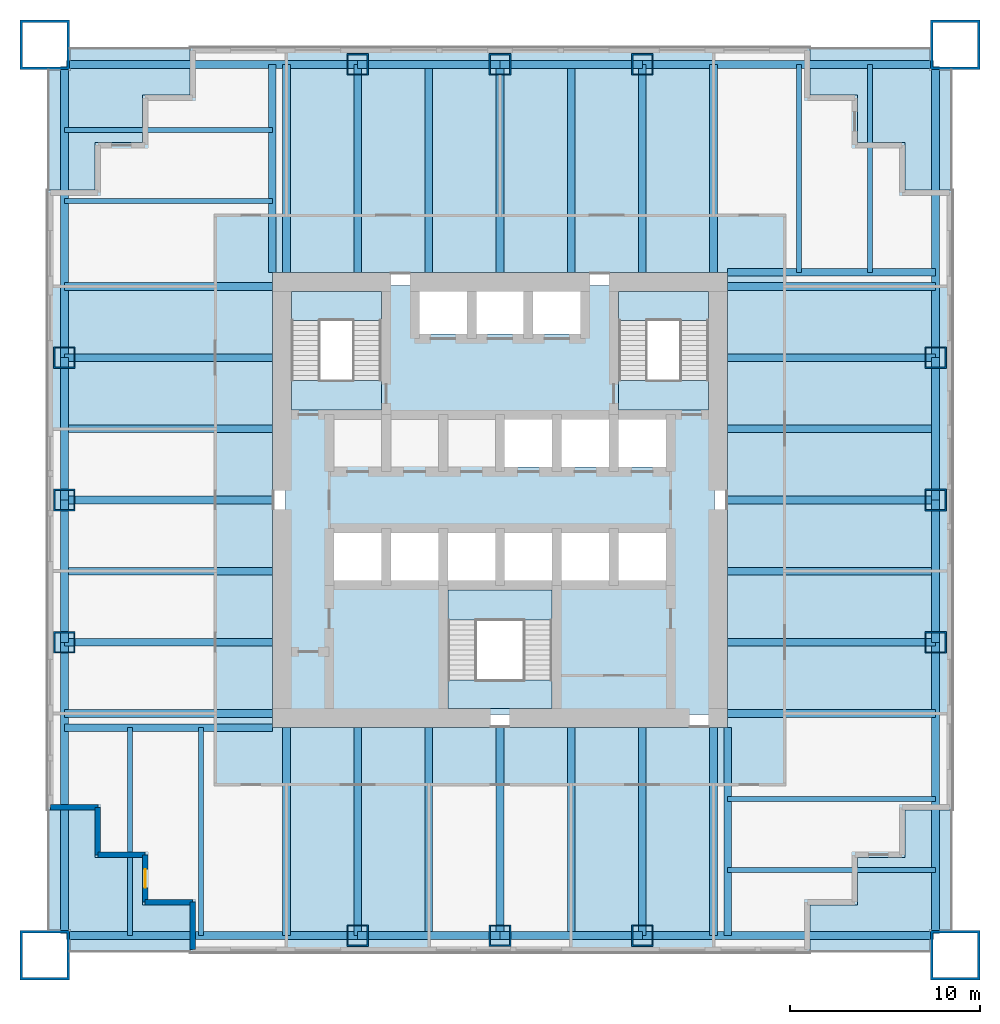
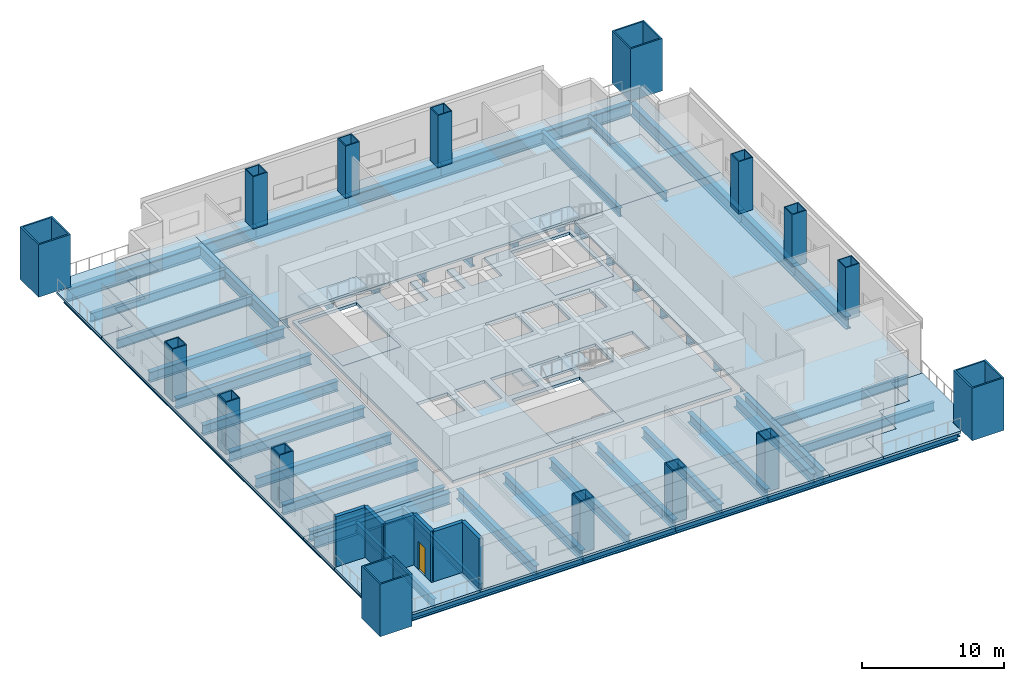
# One storey, part 1 of 7: 56 beams, 16 columns, 15 slabs, 6 walls, 1 door, 1 opening, 3 elements without a shape of their own.
"""IFC4 building model written with IfcOpenShell, lengths in metres."""

from ifc_helpers import new_model, si_unit, direction, frame, frame_2d, origin, origin_2d, place, context, subcontext, project, spatial, polyline, rectangle, hollow_rectangle, i_section, outline, extrude, material, layer, layer_set, material_profile, profile_set, type_object, element, fill, aggregate, save


model = new_model("IFC4")

# Units and contexts
model_context = context("Model", 3, precision=1e-05, world=origin(), true_north=direction((0.0, 1.0)))
body_context = subcontext(model_context, "Body", "Model", "MODEL_VIEW")
ifc_project = project(units=[si_unit("LENGTHUNIT", "METRE"), si_unit("AREAUNIT", "SQUARE_METRE"), si_unit("VOLUMEUNIT", "CUBIC_METRE"), si_unit("PLANEANGLEUNIT", "RADIAN"), si_unit("MASSUNIT", "GRAM", prefix="KILO")], contexts=[model_context])

# Site, building, storey
site_placement = place(None, origin())
site = spatial("IfcSite", under=ifc_project, at=site_placement, CompositionType="ELEMENT")
building_placement = place(site_placement, origin())
building = spatial("IfcBuilding", under=site, at=building_placement, Name="Tarangal Relay Tower", CompositionType="ELEMENT")
storey_placement = place(building_placement, frame((0.0, 0.0, 158.39990234375)))
storey = spatial("IfcBuildingStorey", under=building, at=storey_placement, Name="L32", CompositionType="ELEMENT", Elevation=158.39990234375)

# Columns
ifc_material_1 = material(Name="Steel ASTM A572 Grade 42", Category="steel")
ifc_material_profile_1 = material_profile(ifc_material_1, hollow_rectangle(XDim=2.60009765625, YDim=2.60009765625, WallThickness=0.1298828125, at=origin_2d()), Name="BOX2600X2600X130")
ifc_profile_set_1 = profile_set([ifc_material_profile_1], Name="Steel ASTM A572 Grade 42")
column_type_1 = type_object("IfcColumnType", Name="Mega column BOX2600X2600X130", PredefinedType="COLUMN", material=ifc_profile_set_1)
for number, where, z_axis, x_axis, name in (
    (1, (24.0, 24.0, 0.0), (0.0, 0.0, 1.0), (1.0, 0.0, 0.0), "Mega column MC2 NE L32"),
    (2, (24.0, -24.0, 0.0), (0.0, 0.0, 1.0), (1.0, 0.0, 0.0), "Mega column MC2 SE L32"),
    (3, (-24.0, -24.0, 0.0), (0.0, 0.0, 1.0), (1.0, 0.0, 0.0), "Mega column MC2 SW L32"),
    (4, (-24.0, 24.0, 0.0), (0.0, 0.0, 1.0), (1.0, 0.0, 0.0), "Mega column MC2 NW L32"),
):
    element("IfcColumn", number, at=place(storey_placement, frame(where, z_axis=z_axis, x_axis=x_axis)), inside=storey, type_object=column_type_1, Name=name, PredefinedType="COLUMN", context=body_context, shape_type="SweptSolid", body=[
        extrude(hollow_rectangle(XDim=2.60009765625, YDim=2.60009765625, WallThickness=0.1298828125, at=origin_2d()), origin(), (0.0, 0.0, 1.0), 4.5),
    ])
ifc_material_2 = material(Name="Steel ASTM A572 Grade 50", Category="steel")
ifc_material_profile_2 = material_profile(ifc_material_2, hollow_rectangle(XDim=1.14990234375, YDim=1.14990234375, WallThickness=0.074951171875, at=origin_2d()), Name="BOX1150X1150X75")
ifc_profile_set_2 = profile_set([ifc_material_profile_2], Name="Steel ASTM A572 Grade 50")
column_type_2 = type_object("IfcColumnType", Name="Perimeter column BOX1150X1150X75", PredefinedType="COLUMN", material=ifc_profile_set_2)
for number, where, z_axis, x_axis, name in (
    (5, (-7.5, 22.965087890625, 0.0), (0.0, 0.0, 1.0), (1.0, 0.0, 0.0), "Perimeter column PC3 N L32"),
    (6, (0.0, 22.965087890625, 0.0), (0.0, 0.0, 1.0), (1.0, 0.0, 0.0), "Perimeter column PC3 N L32"),
    (7, (7.5, 22.965087890625, 0.0), (0.0, 0.0, 1.0), (1.0, 0.0, 0.0), "Perimeter column PC3 N L32"),
    (8, (22.965087890625, 7.5, 0.0), (0.0, 0.0, 1.0), (1.0, 0.0, 0.0), "Perimeter column PC3 E L32"),
    (9, (22.965087890625, 0.0, 0.0), (0.0, 0.0, 1.0), (1.0, 0.0, 0.0), "Perimeter column PC3 E L32"),
    (10, (22.965087890625, -7.5, 0.0), (0.0, 0.0, 1.0), (1.0, 0.0, 0.0), "Perimeter column PC3 E L32"),
    (11, (7.5, -22.965087890625, 0.0), (0.0, 0.0, 1.0), (1.0, 0.0, 0.0), "Perimeter column PC3 S L32"),
    (12, (0.0, -22.965087890625, 0.0), (0.0, 0.0, 1.0), (1.0, 0.0, 0.0), "Perimeter column PC3 S L32"),
    (13, (-7.5, -22.965087890625, 0.0), (0.0, 0.0, 1.0), (1.0, 0.0, 0.0), "Perimeter column PC3 S L32"),
    (14, (-22.965087890625, -7.5, 0.0), (0.0, 0.0, 1.0), (1.0, 0.0, 0.0), "Perimeter column PC3 W L32"),
    (15, (-22.965087890625, 0.0, 0.0), (0.0, 0.0, 1.0), (1.0, 0.0, 0.0), "Perimeter column PC3 W L32"),
    (16, (-22.965087890625, 7.5, 0.0), (0.0, 0.0, 1.0), (1.0, 0.0, 0.0), "Perimeter column PC3 W L32"),
):
    element("IfcColumn", number, at=place(storey_placement, frame(where, z_axis=z_axis, x_axis=x_axis)), inside=storey, type_object=column_type_2, Name=name, PredefinedType="COLUMN", context=body_context, shape_type="SweptSolid", body=[
        extrude(hollow_rectangle(XDim=1.14990234375, YDim=1.14990234375, WallThickness=0.074951171875, at=origin_2d()), origin(), (0.0, 0.0, 1.0), 4.5),
    ])

# Beams
ifc_material_3 = material(Name="Steel ASTM A992", Category="steel")
ifc_material_profile_3 = material_profile(ifc_material_3, i_section(OverallWidth=0.2666015625, OverallDepth=0.76953125, WebThickness=0.015625, FlangeThickness=0.025390625, at=origin_2d()), Name="W30X132")
ifc_profile_set_3 = profile_set([ifc_material_profile_3], Name="Steel ASTM A992")
beam_type_1 = type_object("IfcBeamType", Name="Corner beam W30X132", PredefinedType="JOIST", material=ifc_profile_set_3)
for number, where, z_axis, x_axis, name in (
    (17, (15.75, 12.0, -0.584716796875), (0.0, 1.0, 0.0), (-1.0, 0.0, 0.0), "Corner beam CB13 N L32"),
    (18, (19.5, 12.0, -0.584716796875), (0.0, 1.0, 0.0), (-1.0, 0.0, 0.0), "Corner beam CB13 N L32"),
    (19, (12.0, -15.75, -0.584716796875), (1.0, 0.0, 0.0), (0.0, 1.0, 0.0), "Corner beam CB13 E L32"),
    (20, (12.0, -19.5, -0.584716796875), (1.0, 0.0, 0.0), (0.0, 1.0, 0.0), "Corner beam CB13 E L32"),
    (21, (-15.75, -12.0, -0.584716796875), (0.0, -1.0, 0.0), (1.0, 0.0, 0.0), "Corner beam CB13 S L32"),
    (22, (-19.5, -12.0, -0.584716796875), (0.0, -1.0, 0.0), (1.0, 0.0, 0.0), "Corner beam CB13 S L32"),
    (23, (-12.0, 15.75, -0.584716796875), (-1.0, 0.0, 0.0), (0.0, -1.0, 0.0), "Corner beam CB13 W L32"),
    (24, (-12.0, 19.5, -0.584716796875), (-1.0, 0.0, 0.0), (0.0, -1.0, 0.0), "Corner beam CB13 W L32"),
):
    element("IfcBeam", number, at=place(storey_placement, frame(where, z_axis=z_axis, x_axis=x_axis)), inside=storey, type_object=beam_type_1, Name=name, PredefinedType="JOIST", context=body_context, shape_type="SweptSolid", body=[
        extrude(i_section(OverallWidth=0.2666015625, OverallDepth=0.76953125, WebThickness=0.015625, FlangeThickness=0.025390625, at=origin_2d()), origin(), (0.0, 0.0, 1.0), 10.965087890625),
    ])
ifc_material_profile_4 = material_profile(ifc_material_3, i_section(OverallWidth=0.4013671875, OverallDepth=1.01611328125, WebThickness=0.02099609375, FlangeThickness=0.0400390625, at=origin_2d()), Name="W40X277")
ifc_profile_set_4 = profile_set([ifc_material_profile_4], Name="Steel ASTM A992")
beam_type_2 = type_object("IfcBeamType", Name="Corner girder W40X277", PredefinedType="BEAM", material=ifc_profile_set_4)
for number, where, z_axis, x_axis, name in (
    (25, (12.0, 12.0, -0.7080078125), (1.0, 0.0, 0.0), (0.0, 1.0, 0.0), "Corner girder CG3 N L32"),
    (26, (12.0, -12.0, -0.7080078125), (0.0, -1.0, 0.0), (1.0, 0.0, 0.0), "Corner girder CG3 E L32"),
    (27, (-12.0, -12.0, -0.7080078125), (-1.0, 0.0, 0.0), (0.0, -1.0, 0.0), "Corner girder CG3 S L32"),
    (28, (-12.0, 12.0, -0.7080078125), (0.0, 1.0, 0.0), (-1.0, 0.0, 0.0), "Corner girder CG3 W L32"),
):
    element("IfcBeam", number, at=place(storey_placement, frame(where, z_axis=z_axis, x_axis=x_axis)), inside=storey, type_object=beam_type_2, Name=name, PredefinedType="BEAM", context=body_context, shape_type="SweptSolid", body=[
        extrude(i_section(OverallWidth=0.4013671875, OverallDepth=1.01611328125, WebThickness=0.02099609375, FlangeThickness=0.0400390625, at=origin_2d()), origin(), (0.0, 0.0, 1.0), 10.965087890625),
    ])
ifc_material_profile_5 = material_profile(ifc_material_3, i_section(OverallWidth=0.42431640625, OverallDepth=1.09228515625, WebThickness=0.04541015625, FlangeThickness=0.08203125, at=origin_2d()), Name="W40X593")
ifc_profile_set_5 = profile_set([ifc_material_profile_5], Name="Steel ASTM A992")
beam_type_3 = type_object("IfcBeamType", Name="Edge girder W40X593", PredefinedType="SPANDREL", material=ifc_profile_set_5)
beam_1_placement = place(storey_placement, frame((-22.85009765625, 22.965087890625, -0.74609375), z_axis=(1.0, 0.0, 0.0), x_axis=(0.0, 1.0, 0.0)))
element("IfcBeam", 29, at=beam_1_placement, inside=storey, type_object=beam_type_3, Name="Edge girder EG9 N L32", PredefinedType="SPANDREL", context=body_context, shape_type="SweptSolid", body=[
    extrude(i_section(OverallWidth=0.42431640625, OverallDepth=1.09228515625, WebThickness=0.04541015625, FlangeThickness=0.08203125, at=origin_2d()), origin(), (0.0, 0.0, 1.0), 15.35009765625),
])
for number, where, z_axis, x_axis, name in (
    (30, (-7.5, 22.965087890625, -0.74609375), (1.0, 0.0, 0.0), (0.0, 1.0, 0.0), "Edge girder EG9 N L32"),
    (31, (0.0, 22.965087890625, -0.74609375), (1.0, 0.0, 0.0), (0.0, 1.0, 0.0), "Edge girder EG9 N L32"),
):
    element("IfcBeam", number, at=place(storey_placement, frame(where, z_axis=z_axis, x_axis=x_axis)), inside=storey, type_object=beam_type_3, Name=name, PredefinedType="SPANDREL", context=body_context, shape_type="SweptSolid", body=[
        extrude(i_section(OverallWidth=0.42431640625, OverallDepth=1.09228515625, WebThickness=0.04541015625, FlangeThickness=0.08203125, at=origin_2d()), origin(), (0.0, 0.0, 1.0), 7.5),
    ])
for number, where, z_axis, x_axis, name in (
    (32, (7.5, 22.965087890625, -0.74609375), (1.0, 0.0, 0.0), (0.0, 1.0, 0.0), "Edge girder EG9 N L32"),
    (33, (22.965087890625, 22.85009765625, -0.74609375), (0.0, -1.0, 0.0), (1.0, 0.0, 0.0), "Edge girder EG9 E L32"),
):
    element("IfcBeam", number, at=place(storey_placement, frame(where, z_axis=z_axis, x_axis=x_axis)), inside=storey, type_object=beam_type_3, Name=name, PredefinedType="SPANDREL", context=body_context, shape_type="SweptSolid", body=[
        extrude(i_section(OverallWidth=0.42431640625, OverallDepth=1.09228515625, WebThickness=0.04541015625, FlangeThickness=0.08203125, at=origin_2d()), origin(), (0.0, 0.0, 1.0), 15.35009765625),
    ])
for number, where, z_axis, x_axis, name in (
    (34, (22.965087890625, 7.5, -0.74609375), (0.0, -1.0, 0.0), (1.0, 0.0, 0.0), "Edge girder EG9 E L32"),
    (35, (22.965087890625, 0.0, -0.74609375), (0.0, -1.0, 0.0), (1.0, 0.0, 0.0), "Edge girder EG9 E L32"),
):
    element("IfcBeam", number, at=place(storey_placement, frame(where, z_axis=z_axis, x_axis=x_axis)), inside=storey, type_object=beam_type_3, Name=name, PredefinedType="SPANDREL", context=body_context, shape_type="SweptSolid", body=[
        extrude(i_section(OverallWidth=0.42431640625, OverallDepth=1.09228515625, WebThickness=0.04541015625, FlangeThickness=0.08203125, at=origin_2d()), origin(), (0.0, 0.0, 1.0), 7.5),
    ])
for number, where, z_axis, x_axis, name in (
    (36, (22.965087890625, -7.5, -0.74609375), (0.0, -1.0, 0.0), (1.0, 0.0, 0.0), "Edge girder EG9 E L32"),
    (37, (22.85009765625, -22.965087890625, -0.74609375), (-1.0, 0.0, 0.0), (0.0, -1.0, 0.0), "Edge girder EG9 S L32"),
):
    element("IfcBeam", number, at=place(storey_placement, frame(where, z_axis=z_axis, x_axis=x_axis)), inside=storey, type_object=beam_type_3, Name=name, PredefinedType="SPANDREL", context=body_context, shape_type="SweptSolid", body=[
        extrude(i_section(OverallWidth=0.42431640625, OverallDepth=1.09228515625, WebThickness=0.04541015625, FlangeThickness=0.08203125, at=origin_2d()), origin(), (0.0, 0.0, 1.0), 15.35009765625),
    ])
for number, where, z_axis, x_axis, name in (
    (38, (7.5, -22.965087890625, -0.74609375), (-1.0, 0.0, 0.0), (0.0, -1.0, 0.0), "Edge girder EG9 S L32"),
    (39, (0.0, -22.965087890625, -0.74609375), (-1.0, 0.0, 0.0), (0.0, -1.0, 0.0), "Edge girder EG9 S L32"),
):
    element("IfcBeam", number, at=place(storey_placement, frame(where, z_axis=z_axis, x_axis=x_axis)), inside=storey, type_object=beam_type_3, Name=name, PredefinedType="SPANDREL", context=body_context, shape_type="SweptSolid", body=[
        extrude(i_section(OverallWidth=0.42431640625, OverallDepth=1.09228515625, WebThickness=0.04541015625, FlangeThickness=0.08203125, at=origin_2d()), origin(), (0.0, 0.0, 1.0), 7.5),
    ])
for number, where, z_axis, x_axis, name in (
    (40, (-7.5, -22.965087890625, -0.74609375), (-1.0, 0.0, 0.0), (0.0, -1.0, 0.0), "Edge girder EG9 S L32"),
    (41, (-22.965087890625, -22.85009765625, -0.74609375), (0.0, 1.0, 0.0), (-1.0, 0.0, 0.0), "Edge girder EG9 W L32"),
):
    element("IfcBeam", number, at=place(storey_placement, frame(where, z_axis=z_axis, x_axis=x_axis)), inside=storey, type_object=beam_type_3, Name=name, PredefinedType="SPANDREL", context=body_context, shape_type="SweptSolid", body=[
        extrude(i_section(OverallWidth=0.42431640625, OverallDepth=1.09228515625, WebThickness=0.04541015625, FlangeThickness=0.08203125, at=origin_2d()), origin(), (0.0, 0.0, 1.0), 15.35009765625),
    ])
for number, where, z_axis, x_axis, name in (
    (42, (-22.965087890625, -7.5, -0.74609375), (0.0, 1.0, 0.0), (-1.0, 0.0, 0.0), "Edge girder EG9 W L32"),
    (43, (-22.965087890625, 0.0, -0.74609375), (0.0, 1.0, 0.0), (-1.0, 0.0, 0.0), "Edge girder EG9 W L32"),
):
    element("IfcBeam", number, at=place(storey_placement, frame(where, z_axis=z_axis, x_axis=x_axis)), inside=storey, type_object=beam_type_3, Name=name, PredefinedType="SPANDREL", context=body_context, shape_type="SweptSolid", body=[
        extrude(i_section(OverallWidth=0.42431640625, OverallDepth=1.09228515625, WebThickness=0.04541015625, FlangeThickness=0.08203125, at=origin_2d()), origin(), (0.0, 0.0, 1.0), 7.5),
    ])
beam_2_placement = place(storey_placement, frame((-22.965087890625, 7.5, -0.74609375), z_axis=(0.0, 1.0, 0.0), x_axis=(-1.0, 0.0, 0.0)))
element("IfcBeam", 44, at=beam_2_placement, inside=storey, type_object=beam_type_3, Name="Edge girder EG9 W L32", PredefinedType="SPANDREL", context=body_context, shape_type="SweptSolid", body=[
    extrude(i_section(OverallWidth=0.42431640625, OverallDepth=1.09228515625, WebThickness=0.04541015625, FlangeThickness=0.08203125, at=origin_2d()), origin(), (0.0, 0.0, 1.0), 15.35009765625),
])
ifc_material_profile_6 = material_profile(ifc_material_3, i_section(OverallWidth=0.40380859375, OverallDepth=0.86865234375, WebThickness=0.02099609375, FlangeThickness=0.03564453125, at=origin_2d()), Name="W33X241")
ifc_profile_set_6 = profile_set([ifc_material_profile_6], Name="Steel ASTM A992")
beam_type_4 = type_object("IfcBeamType", Name="Floor beam W33X241", PredefinedType="BEAM", material=ifc_profile_set_6)
for number, where, z_axis, x_axis, name in (
    (45, (-11.25, 12.0, -0.63427734375), (0.0, 1.0, 0.0), (-1.0, 0.0, 0.0), "Floor beam RB11 N L32"),
    (46, (-7.5, 12.0, -0.63427734375), (0.0, 1.0, 0.0), (-1.0, 0.0, 0.0), "Floor beam RB11 N L32"),
    (47, (-3.75, 12.0, -0.63427734375), (0.0, 1.0, 0.0), (-1.0, 0.0, 0.0), "Floor beam RB11 N L32"),
    (48, (0.0, 12.0, -0.63427734375), (0.0, 1.0, 0.0), (-1.0, 0.0, 0.0), "Floor beam RB11 N L32"),
    (49, (3.75, 12.0, -0.63427734375), (0.0, 1.0, 0.0), (-1.0, 0.0, 0.0), "Floor beam RB11 N L32"),
    (50, (7.5, 12.0, -0.63427734375), (0.0, 1.0, 0.0), (-1.0, 0.0, 0.0), "Floor beam RB11 N L32"),
    (51, (11.25, 12.0, -0.63427734375), (0.0, 1.0, 0.0), (-1.0, 0.0, 0.0), "Floor beam RB11 N L32"),
    (52, (12.0, 11.25, -0.63427734375), (1.0, 0.0, 0.0), (0.0, 1.0, 0.0), "Floor beam RB11 E L32"),
    (53, (12.0, 7.5, -0.63427734375), (1.0, 0.0, 0.0), (0.0, 1.0, 0.0), "Floor beam RB11 E L32"),
    (54, (12.0, 3.75, -0.63427734375), (1.0, 0.0, 0.0), (0.0, 1.0, 0.0), "Floor beam RB11 E L32"),
    (55, (12.0, 0.0, -0.63427734375), (1.0, 0.0, 0.0), (0.0, 1.0, 0.0), "Floor beam RB11 E L32"),
    (56, (12.0, -3.75, -0.63427734375), (1.0, 0.0, 0.0), (0.0, 1.0, 0.0), "Floor beam RB11 E L32"),
    (57, (12.0, -7.5, -0.63427734375), (1.0, 0.0, 0.0), (0.0, 1.0, 0.0), "Floor beam RB11 E L32"),
    (58, (12.0, -11.25, -0.63427734375), (1.0, 0.0, 0.0), (0.0, 1.0, 0.0), "Floor beam RB11 E L32"),
    (59, (11.25, -12.0, -0.63427734375), (0.0, -1.0, 0.0), (1.0, 0.0, 0.0), "Floor beam RB11 S L32"),
    (60, (7.5, -12.0, -0.63427734375), (0.0, -1.0, 0.0), (1.0, 0.0, 0.0), "Floor beam RB11 S L32"),
    (61, (3.75, -12.0, -0.63427734375), (0.0, -1.0, 0.0), (1.0, 0.0, 0.0), "Floor beam RB11 S L32"),
    (62, (0.0, -12.0, -0.63427734375), (0.0, -1.0, 0.0), (1.0, 0.0, 0.0), "Floor beam RB11 S L32"),
    (63, (-3.75, -12.0, -0.63427734375), (0.0, -1.0, 0.0), (1.0, 0.0, 0.0), "Floor beam RB11 S L32"),
    (64, (-7.5, -12.0, -0.63427734375), (0.0, -1.0, 0.0), (1.0, 0.0, 0.0), "Floor beam RB11 S L32"),
    (65, (-11.25, -12.0, -0.63427734375), (0.0, -1.0, 0.0), (1.0, 0.0, 0.0), "Floor beam RB11 S L32"),
    (66, (-12.0, -11.25, -0.63427734375), (-1.0, 0.0, 0.0), (0.0, -1.0, 0.0), "Floor beam RB11 W L32"),
    (67, (-12.0, -7.5, -0.63427734375), (-1.0, 0.0, 0.0), (0.0, -1.0, 0.0), "Floor beam RB11 W L32"),
    (68, (-12.0, -3.75, -0.63427734375), (-1.0, 0.0, 0.0), (0.0, -1.0, 0.0), "Floor beam RB11 W L32"),
    (69, (-12.0, 0.0, -0.63427734375), (-1.0, 0.0, 0.0), (0.0, -1.0, 0.0), "Floor beam RB11 W L32"),
    (70, (-12.0, 3.75, -0.63427734375), (-1.0, 0.0, 0.0), (0.0, -1.0, 0.0), "Floor beam RB11 W L32"),
    (71, (-12.0, 7.5, -0.63427734375), (-1.0, 0.0, 0.0), (0.0, -1.0, 0.0), "Floor beam RB11 W L32"),
    (72, (-12.0, 11.25, -0.63427734375), (-1.0, 0.0, 0.0), (0.0, -1.0, 0.0), "Floor beam RB11 W L32"),
):
    element("IfcBeam", number, at=place(storey_placement, frame(where, z_axis=z_axis, x_axis=x_axis)), inside=storey, type_object=beam_type_4, Name=name, PredefinedType="BEAM", context=body_context, shape_type="SweptSolid", body=[
        extrude(i_section(OverallWidth=0.40380859375, OverallDepth=0.86865234375, WebThickness=0.02099609375, FlangeThickness=0.03564453125, at=origin_2d()), origin(), (0.0, 0.0, 1.0), 10.965087890625),
    ])

# Slabs
ifc_material_4 = material(Name="Concrete fc' 35 MPa", Category="concrete")
ifc_layer_1 = layer(ifc_material_4, 0.25)
ifc_layer_set_1 = layer_set([ifc_layer_1], Name="Core floor slab 250")
slab_type_1 = type_object("IfcSlabType", Name="Core floor slab 250", PredefinedType="FLOOR", material=ifc_layer_set_1)
slab_1_placement = place(storey_placement, frame((0.0, 0.0, -0.25)))
element("IfcSlab", 73, at=slab_1_placement, inside=storey, type_object=slab_type_1, Name="Core floor slab L32", PredefinedType="FLOOR", context=body_context, shape_type="SweptSolid", body=[
    extrude(outline(polyline([(11.300048828125, 11.300048828125), (11.300048828125, -11.300048828125), (-11.300048828125, -11.300048828125), (-11.300048828125, 11.300048828125), (-4.25, 11.300048828125), (-4.25, 8.75), (-1.75, 8.75), (-1.75, 11.300048828125), (-1.25, 11.300048828125), (-1.25, 8.75), (1.25, 8.75), (1.25, 11.300048828125), (1.75, 11.300048828125), (1.75, 8.75), (4.25, 8.75), (4.25, 11.300048828125), (11.300048828125, 11.300048828125)]), holes=[polyline([(2.75, -4.75), (-2.75, -4.75), (-2.75, -11.0), (2.75, -11.0), (2.75, -4.75)]), polyline([(-6.25, -4.25), (-6.25, -1.75), (-8.75, -1.75), (-8.75, -4.25), (-6.25, -4.25)]), polyline([(-3.25, -4.25), (-3.25, -1.75), (-5.75, -1.75), (-5.75, -4.25), (-3.25, -4.25)]), polyline([(-0.25, -4.25), (-0.25, -1.75), (-2.75, -1.75), (-2.75, -4.25), (-0.25, -4.25)]), polyline([(2.75, 1.75), (2.75, 4.25), (0.25, 4.25), (0.25, 1.75), (2.75, 1.75)]), polyline([(-6.25, 4.75), (-6.25, 11.0), (-11.0, 11.0), (-11.0, 4.75), (-6.25, 4.75)]), polyline([(2.75, -4.25), (2.75, -1.75), (0.25, -1.75), (0.25, -4.25), (2.75, -4.25)]), polyline([(5.75, -4.25), (5.75, -1.75), (3.25, -1.75), (3.25, -4.25), (5.75, -4.25)]), polyline([(8.75, -4.25), (8.75, -1.75), (6.25, -1.75), (6.25, -4.25), (8.75, -4.25)]), polyline([(5.75, 1.75), (5.75, 4.25), (3.25, 4.25), (3.25, 1.75), (5.75, 1.75)]), polyline([(8.75, 1.75), (8.75, 4.25), (6.25, 4.25), (6.25, 1.75), (8.75, 1.75)]), polyline([(11.0, 4.75), (11.0, 11.0), (6.25, 11.0), (6.25, 4.75), (11.0, 4.75)])]), origin(), (0.0, 0.0, 1.0), 0.25),
])
ifc_layer_2 = layer(ifc_material_4, 0.199951171875)
ifc_layer_set_2 = layer_set([ifc_layer_2], Name="Floor slab 200")
slab_type_2 = type_object("IfcSlabType", Name="Floor slab 200", PredefinedType="FLOOR", material=ifc_layer_set_2)
slab_2_placement = place(storey_placement, frame((0.0, 0.0, -0.199951171875)))
element("IfcSlab", 74, at=slab_2_placement, inside=storey, type_object=slab_type_2, Name="Floor slab FS2 L32 north bay", PredefinedType="FLOOR", context=body_context, shape_type="SweptSolid", body=[
    extrude(outline(polyline([(16.35009765625, 23.85009765625), (16.35009765625, 21.35009765625), (18.85009765625, 21.35009765625), (18.85009765625, 18.85009765625), (21.35009765625, 18.85009765625), (21.35009765625, 16.35009765625), (23.85009765625, 16.35009765625), (23.85009765625, 12.0), (-12.0, 12.0), (-12.0, 23.85009765625), (16.35009765625, 23.85009765625)])), origin(), (0.0, 0.0, 1.0), 0.199951171875),
])
slab_3_placement = place(storey_placement, frame((0.0, 0.0, -0.199951171875)))
element("IfcSlab", 75, at=slab_3_placement, inside=storey, type_object=slab_type_2, Name="Floor slab FS2 L32 east bay", PredefinedType="FLOOR", context=body_context, shape_type="SweptSolid", body=[
    extrude(outline(polyline([(23.85009765625, -16.35009765625), (21.35009765625, -16.35009765625), (21.35009765625, -18.85009765625), (18.85009765625, -18.85009765625), (18.85009765625, -21.35009765625), (16.35009765625, -21.35009765625), (16.35009765625, -23.85009765625), (12.0, -23.85009765625), (12.0, 12.0), (23.85009765625, 12.0), (23.85009765625, -16.35009765625)])), origin(), (0.0, 0.0, 1.0), 0.199951171875),
])
slab_4_placement = place(storey_placement, frame((0.0, 0.0, -0.199951171875)))
element("IfcSlab", 76, at=slab_4_placement, inside=storey, type_object=slab_type_2, Name="Floor slab FS2 L32 south bay", PredefinedType="FLOOR", context=body_context, shape_type="SweptSolid", body=[
    extrude(outline(polyline([(-16.35009765625, -23.85009765625), (-16.35009765625, -21.35009765625), (-18.85009765625, -21.35009765625), (-18.85009765625, -18.85009765625), (-21.35009765625, -18.85009765625), (-21.35009765625, -16.35009765625), (-23.85009765625, -16.35009765625), (-23.85009765625, -12.0), (12.0, -12.0), (12.0, -23.85009765625), (-16.35009765625, -23.85009765625)])), origin(), (0.0, 0.0, 1.0), 0.199951171875),
])
slab_5_placement = place(storey_placement, frame((0.0, 0.0, -0.199951171875)))
element("IfcSlab", 77, at=slab_5_placement, inside=storey, type_object=slab_type_2, Name="Floor slab FS2 L32 west bay", PredefinedType="FLOOR", context=body_context, shape_type="SweptSolid", body=[
    extrude(outline(polyline([(-12.0, 23.85009765625), (-12.0, -12.0), (-23.85009765625, -12.0), (-23.85009765625, 16.35009765625), (-21.35009765625, 16.35009765625), (-21.35009765625, 18.85009765625), (-18.85009765625, 18.85009765625), (-18.85009765625, 21.35009765625), (-16.35009765625, 21.35009765625), (-16.35009765625, 23.85009765625), (-12.0, 23.85009765625)])), origin(), (0.0, 0.0, 1.0), 0.199951171875),
])

# Stair, slabs
ifc_material_5 = material(Name="Steel ASTM A992 stair flight", Category="steel")
stair_type = type_object("IfcStairType", Name="Core stair 1500", PredefinedType="HALF_TURN_STAIR", material=ifc_material_5)
stair_1_placement = place(storey_placement, origin())
stair_1 = element("IfcStair", 78, at=stair_1_placement, inside=storey, type_object=stair_type, Name="Stair ST-A L32", PredefinedType="HALF_TURN_STAIR")
ifc_layer_3 = layer(ifc_material_4, 0.199951171875)
ifc_layer_set_3 = layer_set([ifc_layer_3], Name="Stair landing 200")
slab_type_3 = type_object("IfcSlabType", Name="Stair landing 200", PredefinedType="LANDING", material=ifc_layer_set_3)
slab_6_placement = place(storey_placement, frame((0.0, 0.0, -0.199951171875)))
slab_6 = element("IfcSlab", 79, at=slab_6_placement, type_object=slab_type_3, Name="ST-A landing 1", PredefinedType="LANDING", context=body_context, shape_type="SweptSolid", body=[
    extrude(outline(polyline([(-11.0, 4.75), (-6.25, 4.75), (-6.25, 6.300048828125), (-11.0, 6.300048828125), (-11.0, 4.75)])), origin(), (0.0, 0.0, 1.0), 0.199951171875),
])
slab_7_placement = place(storey_placement, frame((0.0, 0.0, 2.050048828125)))
slab_7 = element("IfcSlab", 80, at=slab_7_placement, type_object=slab_type_3, Name="ST-A landing 2", PredefinedType="LANDING", context=body_context, shape_type="SweptSolid", body=[
    extrude(outline(polyline([(-11.0, 9.468017578125), (-6.25, 9.468017578125), (-6.25, 11.0), (-11.0, 11.0), (-11.0, 9.468017578125)])), origin(), (0.0, 0.0, 1.0), 0.199951171875),
])
aggregate(stair_1, [slab_6, slab_7])

stair_2_placement = place(storey_placement, origin())
stair_2 = element("IfcStair", 81, at=stair_2_placement, inside=storey, type_object=stair_type, Name="Stair ST-B L32", PredefinedType="HALF_TURN_STAIR")
slab_8_placement = place(storey_placement, frame((0.0, 0.0, -0.199951171875)))
slab_8 = element("IfcSlab", 82, at=slab_8_placement, type_object=slab_type_3, Name="ST-B landing 1", PredefinedType="LANDING", context=body_context, shape_type="SweptSolid", body=[
    extrude(outline(polyline([(6.25, 4.75), (11.0, 4.75), (11.0, 6.300048828125), (6.25, 6.300048828125), (6.25, 4.75)])), origin(), (0.0, 0.0, 1.0), 0.199951171875),
])
slab_9_placement = place(storey_placement, frame((0.0, 0.0, 2.050048828125)))
slab_9 = element("IfcSlab", 83, at=slab_9_placement, type_object=slab_type_3, Name="ST-B landing 2", PredefinedType="LANDING", context=body_context, shape_type="SweptSolid", body=[
    extrude(outline(polyline([(6.25, 9.468017578125), (11.0, 9.468017578125), (11.0, 11.0), (6.25, 11.0), (6.25, 9.468017578125)])), origin(), (0.0, 0.0, 1.0), 0.199951171875),
])
aggregate(stair_2, [slab_8, slab_9])

stair_3_placement = place(storey_placement, origin())
stair_3 = element("IfcStair", 84, at=stair_3_placement, inside=storey, type_object=stair_type, Name="Stair ST-C L32", PredefinedType="HALF_TURN_STAIR")
slab_10_placement = place(storey_placement, frame((0.0, 0.0, -0.199951171875)))
slab_10 = element("IfcSlab", 85, at=slab_10_placement, type_object=slab_type_3, Name="ST-C landing 1", PredefinedType="LANDING", context=body_context, shape_type="SweptSolid", body=[
    extrude(outline(polyline([(-2.75, -11.0), (2.75, -11.0), (2.75, -9.5), (-2.75, -9.5), (-2.75, -11.0)])), origin(), (0.0, 0.0, 1.0), 0.199951171875),
])
slab_11_placement = place(storey_placement, frame((0.0, 0.0, 2.050048828125)))
slab_11 = element("IfcSlab", 86, at=slab_11_placement, type_object=slab_type_3, Name="ST-C landing 2", PredefinedType="LANDING", context=body_context, shape_type="SweptSolid", body=[
    extrude(outline(polyline([(-2.75, -6.33203125), (2.75, -6.33203125), (2.75, -4.75), (-2.75, -4.75), (-2.75, -6.33203125)])), origin(), (0.0, 0.0, 1.0), 0.199951171875),
])
aggregate(stair_3, [slab_10, slab_11])

# Slabs
ifc_layer_4 = layer(ifc_material_4, 0.199951171875)
ifc_layer_set_4 = layer_set([ifc_layer_4], Name="Terrace slab 200")
slab_type_4 = type_object("IfcSlabType", Name="Terrace slab 200", PredefinedType="FLOOR", material=ifc_layer_set_4)
slab_12_placement = place(storey_placement, frame((0.0, 0.0, -0.199951171875)))
element("IfcSlab", 87, at=slab_12_placement, inside=storey, type_object=slab_type_4, Name="Corner terrace NE L32", PredefinedType="FLOOR", context=body_context, shape_type="SweptSolid", body=[
    extrude(outline(polyline([(16.35009765625, 23.85009765625), (16.35009765625, 21.35009765625), (18.85009765625, 21.35009765625), (18.85009765625, 18.85009765625), (21.35009765625, 18.85009765625), (21.35009765625, 16.35009765625), (23.85009765625, 16.35009765625), (23.85009765625, 22.64990234375), (22.64990234375, 22.64990234375), (22.64990234375, 23.85009765625), (16.35009765625, 23.85009765625)])), origin(), (0.0, 0.0, 1.0), 0.199951171875),
])
slab_13_placement = place(storey_placement, frame((0.0, 0.0, -0.199951171875)))
element("IfcSlab", 88, at=slab_13_placement, inside=storey, type_object=slab_type_4, Name="Corner terrace SE L32", PredefinedType="FLOOR", context=body_context, shape_type="SweptSolid", body=[
    extrude(outline(polyline([(23.85009765625, -16.35009765625), (21.35009765625, -16.35009765625), (21.35009765625, -18.85009765625), (18.85009765625, -18.85009765625), (18.85009765625, -21.35009765625), (16.35009765625, -21.35009765625), (16.35009765625, -23.85009765625), (22.64990234375, -23.85009765625), (22.64990234375, -22.64990234375), (23.85009765625, -22.64990234375), (23.85009765625, -16.35009765625)])), origin(), (0.0, 0.0, 1.0), 0.199951171875),
])
slab_14_placement = place(storey_placement, frame((0.0, 0.0, -0.199951171875)))
element("IfcSlab", 89, at=slab_14_placement, inside=storey, type_object=slab_type_4, Name="Corner terrace SW L32", PredefinedType="FLOOR", context=body_context, shape_type="SweptSolid", body=[
    extrude(outline(polyline([(-16.35009765625, -23.85009765625), (-16.35009765625, -21.35009765625), (-18.85009765625, -21.35009765625), (-18.85009765625, -18.85009765625), (-21.35009765625, -18.85009765625), (-21.35009765625, -16.35009765625), (-23.85009765625, -16.35009765625), (-23.85009765625, -22.64990234375), (-22.64990234375, -22.64990234375), (-22.64990234375, -23.85009765625), (-16.35009765625, -23.85009765625)])), origin(), (0.0, 0.0, 1.0), 0.199951171875),
])
slab_15_placement = place(storey_placement, frame((0.0, 0.0, -0.199951171875)))
element("IfcSlab", 90, at=slab_15_placement, inside=storey, type_object=slab_type_4, Name="Corner terrace NW L32", PredefinedType="FLOOR", context=body_context, shape_type="SweptSolid", body=[
    extrude(outline(polyline([(-23.85009765625, 16.35009765625), (-21.35009765625, 16.35009765625), (-21.35009765625, 18.85009765625), (-18.85009765625, 18.85009765625), (-18.85009765625, 21.35009765625), (-16.35009765625, 21.35009765625), (-16.35009765625, 23.85009765625), (-22.64990234375, 23.85009765625), (-22.64990234375, 22.64990234375), (-23.85009765625, 22.64990234375), (-23.85009765625, 16.35009765625)])), origin(), (0.0, 0.0, 1.0), 0.199951171875),
])

# Walls
ifc_material_6 = material(Name="Insulated precast concrete fc' 40 MPa", Category="concrete")
ifc_layer_5 = layer(ifc_material_6, 0.300048828125)
ifc_layer_set_5 = layer_set([ifc_layer_5], Name="Insulated precast concrete fc' 40 MPa")
wall_type = type_object("IfcWallType", Name="Facade wall precast 300", PredefinedType="SOLIDWALL", material=ifc_layer_set_5)
for number, where, z_axis, x_axis, name in (
    (91, (-16.199951171875, -23.699951171875, 0.0), (0.0, 0.0, 1.0), (0.0, 1.0, 0.0), "Facade wall S facade L32"),
    (92, (-16.199951171875, -21.199951171875, 0.0), (0.0, 0.0, 1.0), (-1.0, 0.0, 0.0), "Facade wall S facade L32"),
):
    element("IfcWall", number, at=place(storey_placement, frame(where, z_axis=z_axis, x_axis=x_axis)), inside=storey, type_object=wall_type, Name=name, PredefinedType="SOLIDWALL", context=body_context, shape_type="SweptSolid", body=[
        extrude(rectangle(XDim=2.5, YDim=0.300048828125, at=frame_2d((1.25, 0.0))), origin(), (0.0, 0.0, 1.0), 4.300048828125),
    ])

# Wall, opening, door
wall_placement = place(storey_placement, frame((-18.699951171875, -21.199951171875, 0.0), z_axis=(0.0, 0.0, 1.0), x_axis=(0.0, 1.0, 0.0)))
wall = element("IfcWall", 93, at=wall_placement, inside=storey, type_object=wall_type, Name="Facade wall S facade L32", PredefinedType="SOLIDWALL", context=body_context, shape_type="SweptSolid", body=[
    extrude(rectangle(XDim=2.5, YDim=0.300048828125, at=frame_2d((1.25, 0.0))), origin(), (0.0, 0.0, 1.0), 4.300048828125),
])
opening_placement = place(wall_placement, frame((0.75, 0.0, 0.0)))
opening = element("IfcOpeningElement", 94, at=opening_placement, cuts=wall, Name="Opening TD1", PredefinedType="OPENING", context=body_context, shape_type="SweptSolid", body=[
    extrude(rectangle(XDim=1.0, YDim=2.39990234375, at=frame_2d((0.5, 1.199951171875))), frame((0.0, 0.159912109375, 0.0), z_axis=(0.0, -1.0, 0.0), x_axis=(1.0, 0.0, 0.0)), (0.0, 0.0, 1.0), 0.320068359375),
])
ifc_material_7 = material(Name="Aluminium glazed door", Category="aluminium")
door_type = type_object("IfcDoorType", Name="Terrace door 1000 x 2400", OperationType="SINGLE_SWING_RIGHT", PredefinedType="DOOR", material=ifc_material_7)
door_placement = place(opening_placement, origin())
door = element("IfcDoor", 95, at=door_placement, inside=storey, type_object=door_type, Name="Terrace door TD1 SW L32", OperationType="SINGLE_SWING_RIGHT", OverallHeight=2.39990234375, OverallWidth=1.0, PredefinedType="DOOR", context=body_context, shape_type="SweptSolid", body=[
    extrude(rectangle(XDim=1.0, YDim=2.39990234375, at=frame_2d((0.5, 1.199951171875))), frame((0.0, 0.02490234375, 0.0), z_axis=(0.0, -1.0, 0.0), x_axis=(1.0, 0.0, 0.0)), (0.0, 0.0, 1.0), 0.050048828125),
])
fill(opening, door)

# Walls
for number, where, z_axis, x_axis, name in (
    (96, (-18.699951171875, -18.699951171875, 0.0), (0.0, 0.0, 1.0), (-1.0, 0.0, 0.0), "Facade wall S facade L32"),
    (97, (-21.199951171875, -18.699951171875, 0.0), (0.0, 0.0, 1.0), (0.0, 1.0, 0.0), "Facade wall S facade L32"),
    (98, (-21.199951171875, -16.199951171875, 0.0), (0.0, 0.0, 1.0), (-1.0, 0.0, 0.0), "Facade wall S facade L32"),
):
    element("IfcWall", number, at=place(storey_placement, frame(where, z_axis=z_axis, x_axis=x_axis)), inside=storey, type_object=wall_type, Name=name, PredefinedType="SOLIDWALL", context=body_context, shape_type="SweptSolid", body=[
        extrude(rectangle(XDim=2.5, YDim=0.300048828125, at=frame_2d((1.25, 0.0))), origin(), (0.0, 0.0, 1.0), 4.300048828125),
    ])

save(model, "model.ifc")
